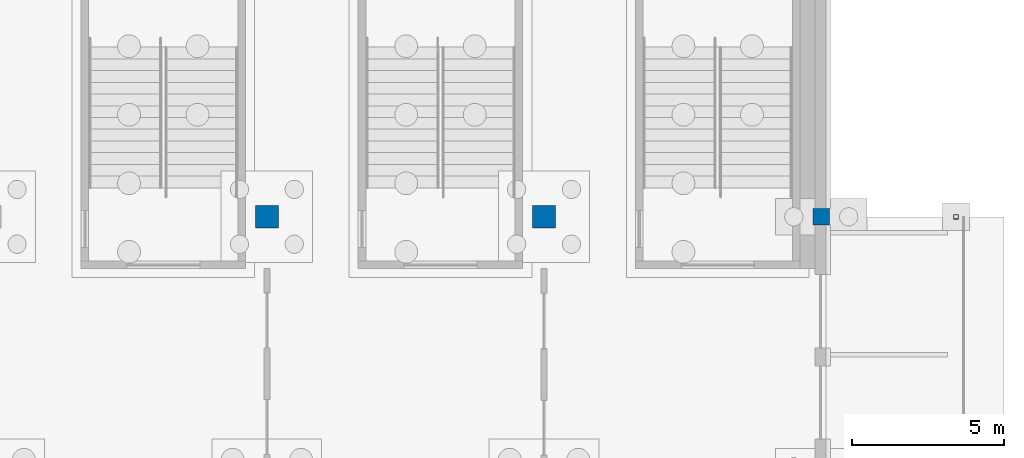
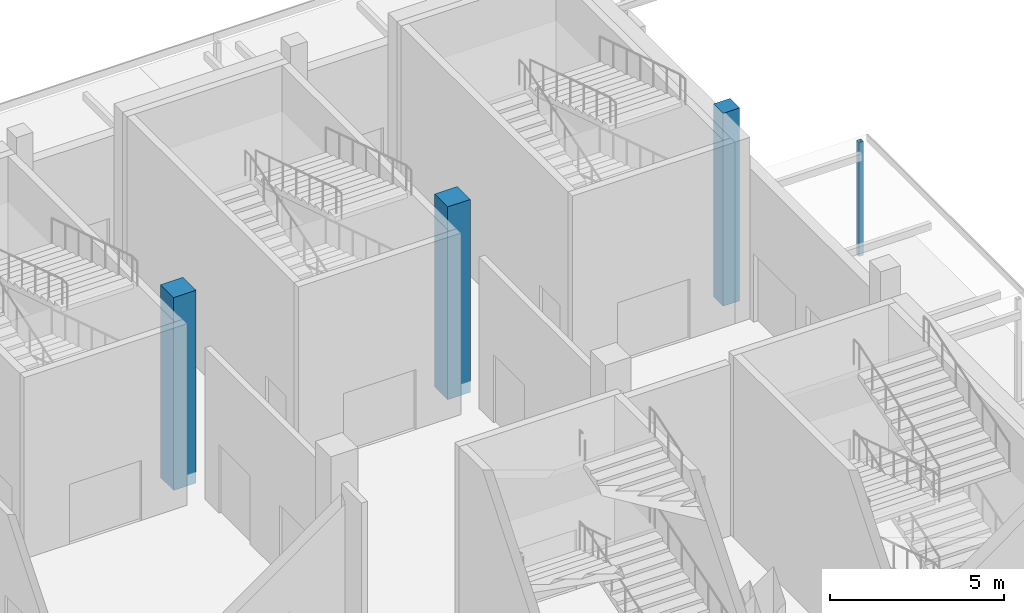
# One storey, part 46 of 129: 4 columns.
"""IFC4 building model written with IfcOpenShell, lengths in metres."""

from ifc_helpers import new_model, si_unit, direction, frame, origin, origin_2d, place, context, subcontext, project, spatial, rectangle, hollow_rectangle, extrude, material, material_profile, profile_set, type_object, element, save


model = new_model("IFC4")

# Units and contexts
model_context = context("Model", 3, precision=1e-05, world=origin(), true_north=direction((0.0, 1.0)))
body_context = subcontext(model_context, "Body", "Model", "MODEL_VIEW")
ifc_project = project(units=[si_unit("LENGTHUNIT", "METRE"), si_unit("AREAUNIT", "SQUARE_METRE"), si_unit("VOLUMEUNIT", "CUBIC_METRE"), si_unit("PLANEANGLEUNIT", "RADIAN"), si_unit("MASSUNIT", "GRAM", prefix="KILO")], contexts=[model_context])

# Site, building, storey
site_placement = place(None, origin())
site = spatial("IfcSite", under=ifc_project, at=site_placement, CompositionType="ELEMENT")
building_placement = place(site_placement, origin())
building = spatial("IfcBuilding", under=site, at=building_placement, Name="Shirokan Park Arena", CompositionType="ELEMENT")
storey_placement = place(building_placement, origin())
storey = spatial("IfcBuildingStorey", under=building, at=storey_placement, Name="L00", CompositionType="ELEMENT", Elevation=0.0)

# Columns
ifc_material_1 = material(Name="Concrete C35", Category="concrete")
ifc_material_profile_1 = material_profile(ifc_material_1, rectangle(XDim=0.550048828125, YDim=0.550048828125, at=origin_2d()), Name="550x550")
ifc_profile_set_1 = profile_set([ifc_material_profile_1], Name="Concrete C35")
column_type_1 = type_object("IfcColumnType", Name="RC column 550x550", PredefinedType="COLUMN", material=ifc_profile_set_1)
column_1_placement = place(storey_placement, frame((145.60009765625, 100.10009765625, -0.39990234375), z_axis=(0.0, 0.0, 1.0), x_axis=(1.0, 0.0, 0.0)))
element("IfcColumn", 1, at=column_1_placement, inside=storey, type_object=column_type_1, Name="Column 17M L00", PredefinedType="COLUMN", context=body_context, shape_type="SweptSolid", body=[
    extrude(rectangle(XDim=0.550048828125, YDim=0.550048828125, at=origin_2d()), origin(), (0.0, 0.0, 1.0), 6.77001953125),
])
ifc_material_profile_2 = material_profile(ifc_material_1, rectangle(XDim=0.75, YDim=0.75, at=origin_2d()), Name="750x750")
ifc_profile_set_2 = profile_set([ifc_material_profile_2], Name="Concrete C35")
column_type_2 = type_object("IfcColumnType", Name="RC column 750x750", PredefinedType="COLUMN", material=ifc_profile_set_2)
for number, where, z_axis, x_axis, name in (
    (2, (127.39990234375, 100.10009765625, -0.39990234375), (0.0, 0.0, 1.0), (1.0, 0.0, 0.0), "Column 15M L00"),
    (3, (136.5, 100.10009765625, -0.39990234375), (0.0, 0.0, 1.0), (1.0, 0.0, 0.0), "Column 16M L00"),
):
    element("IfcColumn", number, at=place(storey_placement, frame(where, z_axis=z_axis, x_axis=x_axis)), inside=storey, type_object=column_type_2, Name=name, PredefinedType="COLUMN", context=body_context, shape_type="SweptSolid", body=[
        extrude(rectangle(XDim=0.75, YDim=0.75, at=origin_2d()), origin(), (0.0, 0.0, 1.0), 6.77001953125),
    ])
ifc_material_2 = material(Name="Steel S355", Category="steel")
ifc_material_profile_3 = material_profile(ifc_material_2, hollow_rectangle(XDim=0.14990234375, YDim=0.14990234375, WallThickness=0.008056640625, at=origin_2d()), Name="RHS 150x150x8")
ifc_profile_set_3 = profile_set([ifc_material_profile_3], Name="Steel S355")
column_type_3 = type_object("IfcColumnType", Name="Steel post RHS 150x150x8", PredefinedType="COLUMN", material=ifc_profile_set_3)
column_2_placement = place(storey_placement, frame((150.02490234375, 100.10009765625, -0.39990234375), z_axis=(0.0, 0.0, 1.0), x_axis=(1.0, 0.0, 0.0)))
element("IfcColumn", 4, at=column_2_placement, inside=storey, type_object=column_type_3, Name="Canopy post east grid 12", PredefinedType="COLUMN", context=body_context, shape_type="SweptSolid", body=[
    extrude(hollow_rectangle(XDim=0.14990234375, YDim=0.14990234375, WallThickness=0.008056640625, at=origin_2d()), origin(), (0.0, 0.0, 1.0), 4.0),
])

save(model, "model.ifc")
